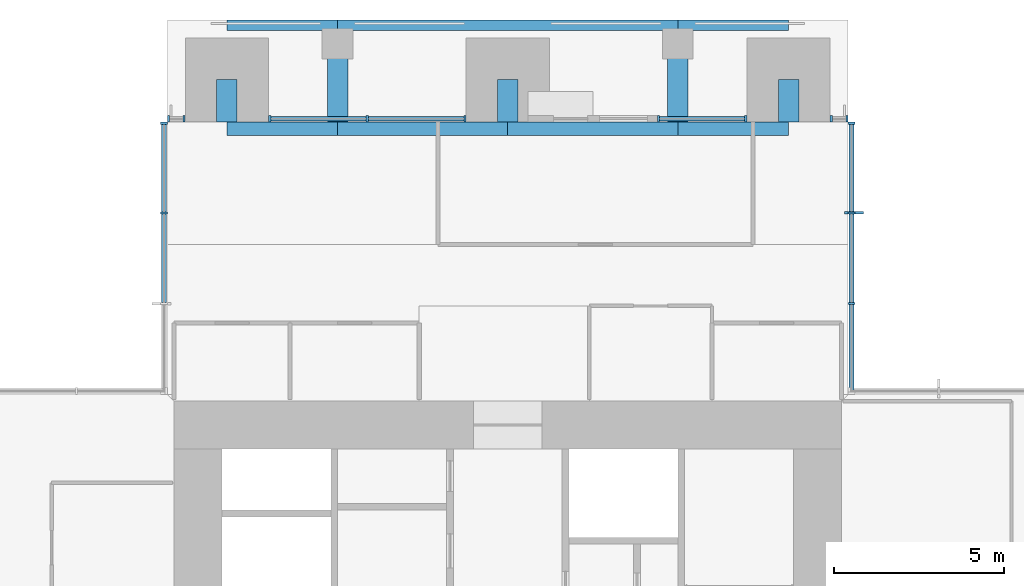
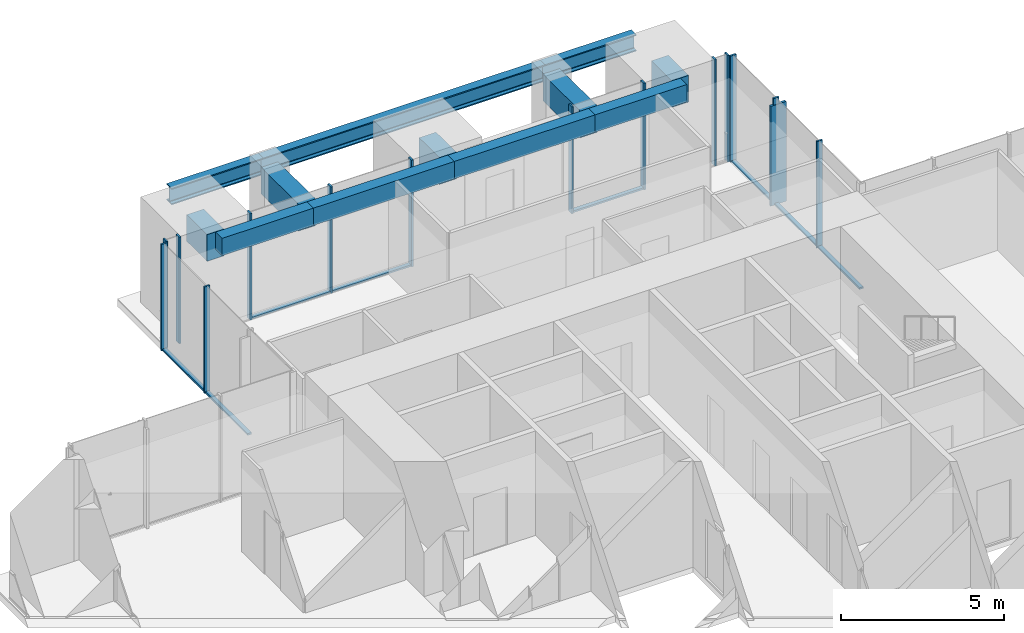
# One storey, part 5 of 17: 23 members, 12 beams, 6 elements without a shape of their own.
"""IFC4 building model written with IfcOpenShell, lengths in metres."""

from ifc_helpers import new_model, si_unit, direction, frame, origin, origin_2d, place, context, subcontext, project, spatial, rectangle, i_section, extrude, material, material_profile, profile_set, type_object, element, aggregate, save


model = new_model("IFC4")

# Units and contexts
model_context = context("Model", 3, precision=1e-05, world=origin(), true_north=direction((0.0, 1.0)))
body_context = subcontext(model_context, "Body", "Model", "MODEL_VIEW")
ifc_project = project(units=[si_unit("LENGTHUNIT", "METRE"), si_unit("AREAUNIT", "SQUARE_METRE"), si_unit("VOLUMEUNIT", "CUBIC_METRE"), si_unit("PLANEANGLEUNIT", "RADIAN"), si_unit("MASSUNIT", "GRAM", prefix="KILO")], contexts=[model_context])

# Site, building, storey
site_placement = place(None, origin())
site = spatial("IfcSite", under=ifc_project, at=site_placement, CompositionType="ELEMENT")
building_placement = place(site_placement, origin())
building = spatial("IfcBuilding", under=site, at=building_placement, Name="Svetlomir Tower", CompositionType="ELEMENT")
storey_placement = place(building_placement, frame((0.0, 0.0, 218.5)))
storey = spatial("IfcBuildingStorey", under=building, at=storey_placement, Name="L52", CompositionType="ELEMENT", Elevation=218.5)

# Curtain wall, members
ifc_material_1 = material(Name="Bronze anodised aluminium curtain wall", Category="aluminium")
curtain_wall_type = type_object("IfcCurtainWallType", Name="CURTAIN WALL CW1 TOWER OFFICE", PredefinedType="NOTDEFINED", material=ifc_material_1)
curtain_wall_1_placement = place(storey_placement, origin())
curtain_wall_1 = element("IfcCurtainWall", 1, at=curtain_wall_1_placement, inside=storey, type_object=curtain_wall_type, Name="Curtain wall CW1 L52", PredefinedType="NOTDEFINED")
ifc_material_2 = material(Name="Bronze anodised aluminium", Category="aluminium")
ifc_material_profile_1 = material_profile(ifc_material_2, rectangle(XDim=0.080078125, YDim=0.550048828125, at=origin_2d()), Name="FIN 80x550")
ifc_profile_set_1 = profile_set([ifc_material_profile_1], Name="Bronze anodised aluminium 6063-T6")
member_type_1 = type_object("IfcMemberType", Name="BRONZE FIN 80x550", PredefinedType="USERDEFINED", material=ifc_profile_set_1)
member_1_placement = place(storey_placement, frame((31.175048828125, 36.333251953125, 0.0), z_axis=(0.0, 0.0, 1.0), x_axis=(0.0, 1.0, 0.0)))
member_1 = element("IfcMember", 2, at=member_1_placement, type_object=member_type_1, Name="Bronze fin L52", ObjectType="FIN", PredefinedType="USERDEFINED", context=body_context, shape_type="SweptSolid", body=[
    extrude(rectangle(XDim=0.080078125, YDim=0.550048828125, at=origin_2d()), origin(), (0.0, 0.0, 1.0), 3.75),
])
ifc_material_3 = material(Name="Bronze anodised aluminium", Category="aluminium")
ifc_material_profile_2 = material_profile(ifc_material_3, rectangle(XDim=0.06494140625, YDim=0.199951171875, at=origin_2d()), Name="AL 65x200")
ifc_profile_set_2 = profile_set([ifc_material_profile_2], Name="Bronze anodised aluminium 6063-T6")
member_type_2 = type_object("IfcMemberType", Name="CW1 MULLION 65x200", PredefinedType="MULLION", material=ifc_profile_set_2)
member_2_placement = place(storey_placement, frame((31.10009765625, 33.666748046875, 0.0), z_axis=(0.0, 0.0, 1.0), x_axis=(0.0, 1.0, 0.0)))
member_2 = element("IfcMember", 3, at=member_2_placement, type_object=member_type_2, Name="CW1 mullion 2", PredefinedType="MULLION", context=body_context, shape_type="SweptSolid", body=[
    extrude(rectangle(XDim=0.06494140625, YDim=0.199951171875, at=origin_2d()), origin(), (0.0, 0.0, 1.0), 4.0),
])
member_3_placement = place(storey_placement, frame((31.10009765625, 36.333251953125, 0.0), z_axis=(0.0, 0.0, 1.0), x_axis=(0.0, 1.0, 0.0)))
member_3 = element("IfcMember", 4, at=member_3_placement, type_object=member_type_2, Name="CW1 mullion 3", PredefinedType="MULLION", context=body_context, shape_type="SweptSolid", body=[
    extrude(rectangle(XDim=0.06494140625, YDim=0.199951171875, at=origin_2d()), origin(), (0.0, 0.0, 1.0), 4.0),
])
member_4_placement = place(storey_placement, frame((31.10009765625, 38.967529296875, 0.0), z_axis=(0.0, 0.0, 1.0), x_axis=(0.0, 1.0, 0.0)))
member_4 = element("IfcMember", 5, at=member_4_placement, type_object=member_type_2, Name="CW1 mullion 4", PredefinedType="MULLION", context=body_context, shape_type="SweptSolid", body=[
    extrude(rectangle(XDim=0.06494140625, YDim=0.199951171875, at=origin_2d()), origin(), (0.0, 0.0, 1.0), 4.0),
])

curtain_wall_2_placement = place(storey_placement, origin())
curtain_wall_2 = element("IfcCurtainWall", 6, at=curtain_wall_2_placement, inside=storey, type_object=curtain_wall_type, Name="Curtain wall CW1 L52", PredefinedType="NOTDEFINED")
member_5_placement = place(storey_placement, frame((30.967529296875, 39.10009765625, 0.0), z_axis=(0.0, 0.0, 1.0), x_axis=(-1.0, 0.0, 0.0)))
member_5 = element("IfcMember", 7, at=member_5_placement, type_object=member_type_2, Name="CW1 mullion 1", PredefinedType="MULLION", context=body_context, shape_type="SweptSolid", body=[
    extrude(rectangle(XDim=0.06494140625, YDim=0.199951171875, at=origin_2d()), origin(), (0.0, 0.0, 1.0), 4.0),
])
member_6_placement = place(storey_placement, frame((30.507568359375, 39.10009765625, 0.0), z_axis=(0.0, 0.0, 1.0), x_axis=(-1.0, 0.0, 0.0)))
member_6 = element("IfcMember", 8, at=member_6_placement, type_object=member_type_2, Name="CW1 mullion 2", PredefinedType="MULLION", context=body_context, shape_type="SweptSolid", body=[
    extrude(rectangle(XDim=0.06494140625, YDim=0.199951171875, at=origin_2d()), origin(), (0.0, 0.0, 1.0), 4.0),
])
aggregate(curtain_wall_2, [member_5, member_6])

curtain_wall_3_placement = place(storey_placement, origin())
curtain_wall_3 = element("IfcCurtainWall", 9, at=curtain_wall_3_placement, inside=storey, type_object=curtain_wall_type, Name="Curtain wall CW1 L52", PredefinedType="NOTDEFINED")
member_7_placement = place(storey_placement, frame((27.992431640625, 39.10009765625, 0.0), z_axis=(0.0, 0.0, 1.0), x_axis=(-1.0, 0.0, 0.0)))
member_7 = element("IfcMember", 10, at=member_7_placement, type_object=member_type_2, Name="CW1 mullion 1", PredefinedType="MULLION", context=body_context, shape_type="SweptSolid", body=[
    extrude(rectangle(XDim=0.06494140625, YDim=0.199951171875, at=origin_2d()), origin(), (0.0, 0.0, 1.0), 4.0),
])
member_8_placement = place(storey_placement, frame((25.4326171875, 39.10009765625, 0.0), z_axis=(0.0, 0.0, 1.0), x_axis=(-1.0, 0.0, 0.0)))
member_8 = element("IfcMember", 11, at=member_8_placement, type_object=member_type_2, Name="CW1 mullion 2", PredefinedType="MULLION", context=body_context, shape_type="SweptSolid", body=[
    extrude(rectangle(XDim=0.06494140625, YDim=0.199951171875, at=origin_2d()), origin(), (0.0, 0.0, 1.0), 4.0),
])

curtain_wall_4_placement = place(storey_placement, origin())
curtain_wall_4 = element("IfcCurtainWall", 12, at=curtain_wall_4_placement, inside=storey, type_object=curtain_wall_type, Name="Curtain wall CW1 L52", PredefinedType="NOTDEFINED")
member_9_placement = place(storey_placement, frame((19.742431640625, 39.10009765625, 0.0), z_axis=(0.0, 0.0, 1.0), x_axis=(-1.0, 0.0, 0.0)))
member_9 = element("IfcMember", 13, at=member_9_placement, type_object=member_type_2, Name="CW1 mullion 1", PredefinedType="MULLION", context=body_context, shape_type="SweptSolid", body=[
    extrude(rectangle(XDim=0.06494140625, YDim=0.199951171875, at=origin_2d()), origin(), (0.0, 0.0, 1.0), 4.0),
])
member_10_placement = place(storey_placement, frame((16.875, 39.10009765625, 0.0), z_axis=(0.0, 0.0, 1.0), x_axis=(-1.0, 0.0, 0.0)))
member_10 = element("IfcMember", 14, at=member_10_placement, type_object=member_type_2, Name="CW1 mullion 2", PredefinedType="MULLION", context=body_context, shape_type="SweptSolid", body=[
    extrude(rectangle(XDim=0.06494140625, YDim=0.199951171875, at=origin_2d()), origin(), (0.0, 0.0, 1.0), 4.0),
])
member_11_placement = place(storey_placement, frame((14.007568359375, 39.10009765625, 0.0), z_axis=(0.0, 0.0, 1.0), x_axis=(-1.0, 0.0, 0.0)))
member_11 = element("IfcMember", 15, at=member_11_placement, type_object=member_type_2, Name="CW1 mullion 3", PredefinedType="MULLION", context=body_context, shape_type="SweptSolid", body=[
    extrude(rectangle(XDim=0.06494140625, YDim=0.199951171875, at=origin_2d()), origin(), (0.0, 0.0, 1.0), 4.0),
])

curtain_wall_5_placement = place(storey_placement, origin())
curtain_wall_5 = element("IfcCurtainWall", 16, at=curtain_wall_5_placement, inside=storey, type_object=curtain_wall_type, Name="Curtain wall CW1 L52", PredefinedType="NOTDEFINED")
member_12_placement = place(storey_placement, frame((11.492431640625, 39.10009765625, 0.0), z_axis=(0.0, 0.0, 1.0), x_axis=(-1.0, 0.0, 0.0)))
member_12 = element("IfcMember", 17, at=member_12_placement, type_object=member_type_2, Name="CW1 mullion 1", PredefinedType="MULLION", context=body_context, shape_type="SweptSolid", body=[
    extrude(rectangle(XDim=0.06494140625, YDim=0.199951171875, at=origin_2d()), origin(), (0.0, 0.0, 1.0), 4.0),
])
member_13_placement = place(storey_placement, frame((11.032470703125, 39.10009765625, 0.0), z_axis=(0.0, 0.0, 1.0), x_axis=(-1.0, 0.0, 0.0)))
member_13 = element("IfcMember", 18, at=member_13_placement, type_object=member_type_2, Name="CW1 mullion 2", PredefinedType="MULLION", context=body_context, shape_type="SweptSolid", body=[
    extrude(rectangle(XDim=0.06494140625, YDim=0.199951171875, at=origin_2d()), origin(), (0.0, 0.0, 1.0), 4.0),
])
aggregate(curtain_wall_5, [member_12, member_13])

curtain_wall_6_placement = place(storey_placement, origin())
curtain_wall_6 = element("IfcCurtainWall", 19, at=curtain_wall_6_placement, inside=storey, type_object=curtain_wall_type, Name="Curtain wall CW1 L52", PredefinedType="NOTDEFINED")
member_14_placement = place(storey_placement, frame((10.89990234375, 38.967529296875, 0.0), z_axis=(0.0, 0.0, 1.0), x_axis=(0.0, -1.0, 0.0)))
member_14 = element("IfcMember", 20, at=member_14_placement, type_object=member_type_2, Name="CW1 mullion 1", PredefinedType="MULLION", context=body_context, shape_type="SweptSolid", body=[
    extrude(rectangle(XDim=0.06494140625, YDim=0.199951171875, at=origin_2d()), origin(), (0.0, 0.0, 1.0), 4.0),
])
member_15_placement = place(storey_placement, frame((10.89990234375, 36.333251953125, 0.0), z_axis=(0.0, 0.0, 1.0), x_axis=(0.0, -1.0, 0.0)))
member_15 = element("IfcMember", 21, at=member_15_placement, type_object=member_type_2, Name="CW1 mullion 2", PredefinedType="MULLION", context=body_context, shape_type="SweptSolid", body=[
    extrude(rectangle(XDim=0.06494140625, YDim=0.199951171875, at=origin_2d()), origin(), (0.0, 0.0, 1.0), 4.0),
])

# Member
ifc_material_4 = material(Name="Bronze anodised aluminium", Category="aluminium")
ifc_material_profile_3 = material_profile(ifc_material_4, rectangle(XDim=0.139892578125, YDim=0.06494140625, at=origin_2d()), Name="AL 140x65")
ifc_profile_set_3 = profile_set([ifc_material_profile_3], Name="Bronze anodised aluminium 6063-T6")
member_type_3 = type_object("IfcMemberType", Name="CW1 TRANSOM 65x140", PredefinedType="USERDEFINED", material=ifc_profile_set_3)
member_16_placement = place(storey_placement, frame((31.10009765625, 31.06494140625, 0.032470703125), z_axis=(0.0, 1.0, 0.0), x_axis=(-1.0, 0.0, 0.0)))
member_16 = element("IfcMember", 22, at=member_16_placement, type_object=member_type_3, Name="CW1 transom 1.1", ObjectType="TRANSOM", PredefinedType="USERDEFINED", context=body_context, shape_type="SweptSolid", body=[
    extrude(rectangle(XDim=0.139892578125, YDim=0.06494140625, at=origin_2d()), origin(), (0.0, 0.0, 1.0), 2.5693359375),
])

member_17_placement = place(storey_placement, frame((31.10009765625, 33.69921875, 0.032470703125), z_axis=(0.0, 1.0, 0.0), x_axis=(-1.0, 0.0, 0.0)))
member_17 = element("IfcMember", 23, at=member_17_placement, type_object=member_type_3, Name="CW1 transom 2.1", ObjectType="TRANSOM", PredefinedType="USERDEFINED", context=body_context, shape_type="SweptSolid", body=[
    extrude(rectangle(XDim=0.139892578125, YDim=0.06494140625, at=origin_2d()), origin(), (0.0, 0.0, 1.0), 2.6015625),
])

member_18_placement = place(storey_placement, frame((31.10009765625, 36.36572265625, 0.032470703125), z_axis=(0.0, 1.0, 0.0), x_axis=(-1.0, 0.0, 0.0)))
member_18 = element("IfcMember", 24, at=member_18_placement, type_object=member_type_3, Name="CW1 transom 3.1", ObjectType="TRANSOM", PredefinedType="USERDEFINED", context=body_context, shape_type="SweptSolid", body=[
    extrude(rectangle(XDim=0.139892578125, YDim=0.06494140625, at=origin_2d()), origin(), (0.0, 0.0, 1.0), 2.5693359375),
])

aggregate(curtain_wall_1, [member_2, member_3, member_4, member_16, member_17, member_18, member_1])

member_19_placement = place(storey_placement, frame((27.9599609375, 39.10009765625, 0.032470703125), z_axis=(-1.0, 0.0, 0.0), x_axis=(0.0, -1.0, 0.0)))
member_19 = element("IfcMember", 25, at=member_19_placement, type_object=member_type_3, Name="CW1 transom 1.1", ObjectType="TRANSOM", PredefinedType="USERDEFINED", context=body_context, shape_type="SweptSolid", body=[
    extrude(rectangle(XDim=0.139892578125, YDim=0.06494140625, at=origin_2d()), origin(), (0.0, 0.0, 1.0), 2.494873046875),
])

aggregate(curtain_wall_3, [member_7, member_8, member_19])

member_20_placement = place(storey_placement, frame((19.7099609375, 39.10009765625, 0.032470703125), z_axis=(-1.0, 0.0, 0.0), x_axis=(0.0, -1.0, 0.0)))
member_20 = element("IfcMember", 26, at=member_20_placement, type_object=member_type_3, Name="CW1 transom 1.1", ObjectType="TRANSOM", PredefinedType="USERDEFINED", context=body_context, shape_type="SweptSolid", body=[
    extrude(rectangle(XDim=0.139892578125, YDim=0.06494140625, at=origin_2d()), origin(), (0.0, 0.0, 1.0), 2.802490234375),
])

member_21_placement = place(storey_placement, frame((16.842529296875, 39.10009765625, 0.032470703125), z_axis=(-1.0, 0.0, 0.0), x_axis=(0.0, -1.0, 0.0)))
member_21 = element("IfcMember", 27, at=member_21_placement, type_object=member_type_3, Name="CW1 transom 2.1", ObjectType="TRANSOM", PredefinedType="USERDEFINED", context=body_context, shape_type="SweptSolid", body=[
    extrude(rectangle(XDim=0.139892578125, YDim=0.06494140625, at=origin_2d()), origin(), (0.0, 0.0, 1.0), 2.802490234375),
])

aggregate(curtain_wall_4, [member_9, member_10, member_11, member_20, member_21])

member_22_placement = place(storey_placement, frame((10.89990234375, 38.93505859375, 0.032470703125), z_axis=(0.0, -1.0, 0.0), x_axis=(1.0, 0.0, 0.0)))
member_22 = element("IfcMember", 28, at=member_22_placement, type_object=member_type_3, Name="CW1 transom 1.1", ObjectType="TRANSOM", PredefinedType="USERDEFINED", context=body_context, shape_type="SweptSolid", body=[
    extrude(rectangle(XDim=0.139892578125, YDim=0.06494140625, at=origin_2d()), origin(), (0.0, 0.0, 1.0), 2.5693359375),
])

member_23_placement = place(storey_placement, frame((10.89990234375, 36.30078125, 0.032470703125), z_axis=(0.0, -1.0, 0.0), x_axis=(1.0, 0.0, 0.0)))
member_23 = element("IfcMember", 29, at=member_23_placement, type_object=member_type_3, Name="CW1 transom 2.1", ObjectType="TRANSOM", PredefinedType="USERDEFINED", context=body_context, shape_type="SweptSolid", body=[
    extrude(rectangle(XDim=0.139892578125, YDim=0.06494140625, at=origin_2d()), origin(), (0.0, 0.0, 1.0), 2.6015625),
])

aggregate(curtain_wall_6, [member_14, member_15, member_22, member_23])

# Beams
ifc_material_5 = material(Name="Steel S355", Category="steel")
ifc_material_profile_4 = material_profile(ifc_material_5, i_section(OverallWidth=0.304931640625, OverallDepth=0.6201171875, WebThickness=0.02099609375, FlangeThickness=0.0400390625, FilletRadius=0.027099609375, at=origin_2d()), Name="HEM 600")
ifc_profile_set_4 = profile_set([ifc_material_profile_4], Name="Steel S355")
beam_type_1 = type_object("IfcBeamType", Name="EDGE BEAM HEM 600", PredefinedType="SPANDREL", material=ifc_profile_set_4)
beam_1_placement = place(storey_placement, frame((12.75, 41.847412109375, 3.43994140625), z_axis=(1.0, 0.0, 0.0), x_axis=(0.0, 1.0, 0.0)))
element("IfcBeam", 30, at=beam_1_placement, inside=storey, type_object=beam_type_1, Name="Edge beam 11/42 to 16/42 under L53", PredefinedType="SPANDREL", context=body_context, shape_type="SweptSolid", body=[
    extrude(i_section(OverallWidth=0.304931640625, OverallDepth=0.6201171875, WebThickness=0.02099609375, FlangeThickness=0.0400390625, FilletRadius=0.027099609375, at=origin_2d()), origin(), (0.0, 0.0, 1.0), 3.25),
])
beam_2_placement = place(storey_placement, frame((16.0, 41.847412109375, 3.43994140625), z_axis=(1.0, 0.0, 0.0), x_axis=(0.0, 1.0, 0.0)))
element("IfcBeam", 31, at=beam_2_placement, inside=storey, type_object=beam_type_1, Name="Edge beam 16/42 to 26/42 under L53", PredefinedType="SPANDREL", context=body_context, shape_type="SweptSolid", body=[
    extrude(i_section(OverallWidth=0.304931640625, OverallDepth=0.6201171875, WebThickness=0.02099609375, FlangeThickness=0.0400390625, FilletRadius=0.027099609375, at=origin_2d()), origin(), (0.0, 0.0, 1.0), 10.0),
])
beam_3_placement = place(storey_placement, frame((26.0, 41.847412109375, 3.43994140625), z_axis=(1.0, 0.0, 0.0), x_axis=(0.0, 1.0, 0.0)))
element("IfcBeam", 32, at=beam_3_placement, inside=storey, type_object=beam_type_1, Name="Edge beam 26/42 to 31/42 under L53", PredefinedType="SPANDREL", context=body_context, shape_type="SweptSolid", body=[
    extrude(i_section(OverallWidth=0.304931640625, OverallDepth=0.6201171875, WebThickness=0.02099609375, FlangeThickness=0.0400390625, FilletRadius=0.027099609375, at=origin_2d()), origin(), (0.0, 0.0, 1.0), 3.25),
])
ifc_material_6 = material(Name="Concrete C60/75", Category="concrete")
ifc_material_profile_5 = material_profile(ifc_material_6, rectangle(XDim=0.39990234375, YDim=0.64990234375, at=origin_2d()), Name="RC 400x650")
ifc_profile_set_5 = profile_set([ifc_material_profile_5], Name="Concrete C60/75")
beam_type_2 = type_object("IfcBeamType", Name="FACADE EDGE BEAM RC 400x650", PredefinedType="BEAM", material=ifc_profile_set_5)
beam_4_placement = place(storey_placement, frame((12.75, 38.800048828125, 3.425048828125), z_axis=(1.0, 0.0, 0.0), x_axis=(0.0, 1.0, 0.0)))
element("IfcBeam", 33, at=beam_4_placement, inside=storey, type_object=beam_type_2, Name="Facade edge beam N 11 to 16 under L53", PredefinedType="BEAM", context=body_context, shape_type="SweptSolid", body=[
    extrude(rectangle(XDim=0.39990234375, YDim=0.64990234375, at=origin_2d()), origin(), (0.0, 0.0, 1.0), 3.25),
])
for number, where, z_axis, x_axis, name in (
    (34, (16.0, 38.800048828125, 3.425048828125), (1.0, 0.0, 0.0), (0.0, 1.0, 0.0), "Facade edge beam N 16 to 21 under L53"),
    (35, (21.0, 38.800048828125, 3.425048828125), (1.0, 0.0, 0.0), (0.0, 1.0, 0.0), "Facade edge beam N 21 to 26 under L53"),
):
    element("IfcBeam", number, at=place(storey_placement, frame(where, z_axis=z_axis, x_axis=x_axis)), inside=storey, type_object=beam_type_2, Name=name, PredefinedType="BEAM", context=body_context, shape_type="SweptSolid", body=[
        extrude(rectangle(XDim=0.39990234375, YDim=0.64990234375, at=origin_2d()), origin(), (0.0, 0.0, 1.0), 5.0),
    ])
beam_5_placement = place(storey_placement, frame((26.0, 38.800048828125, 3.425048828125), z_axis=(1.0, 0.0, 0.0), x_axis=(0.0, 1.0, 0.0)))
element("IfcBeam", 36, at=beam_5_placement, inside=storey, type_object=beam_type_2, Name="Facade edge beam N 26 to 31 under L53", PredefinedType="BEAM", context=body_context, shape_type="SweptSolid", body=[
    extrude(rectangle(XDim=0.39990234375, YDim=0.64990234375, at=origin_2d()), origin(), (0.0, 0.0, 1.0), 3.25),
])
ifc_material_7 = material(Name="Concrete C60/75", Category="concrete")
ifc_material_profile_6 = material_profile(ifc_material_7, rectangle(XDim=0.60009765625, YDim=1.0, at=origin_2d()), Name="RC 600x1000")
ifc_profile_set_6 = profile_set([ifc_material_profile_6], Name="Concrete C60/75")
beam_type_3 = type_object("IfcBeamType", Name="LOGGIA LINK BEAM RC 600x1000", PredefinedType="BEAM", material=ifc_profile_set_6)
beam_6_placement = place(storey_placement, frame((12.75, 40.25, 3.25), z_axis=(0.0, -1.0, 0.0), x_axis=(1.0, 0.0, 0.0)))
element("IfcBeam", 37, at=beam_6_placement, inside=storey, type_object=beam_type_3, Name="Loggia link beam N 11 under L53", PredefinedType="BEAM", context=body_context, shape_type="SweptSolid", body=[
    extrude(rectangle(XDim=0.60009765625, YDim=1.0, at=origin_2d()), origin(), (0.0, 0.0, 1.0), 1.25),
])
beam_7_placement = place(storey_placement, frame((16.0, 41.300048828125, 3.25), z_axis=(0.0, -1.0, 0.0), x_axis=(1.0, 0.0, 0.0)))
element("IfcBeam", 38, at=beam_7_placement, inside=storey, type_object=beam_type_3, Name="Loggia link beam N 16 under L53", PredefinedType="BEAM", context=body_context, shape_type="SweptSolid", body=[
    extrude(rectangle(XDim=0.60009765625, YDim=1.0, at=origin_2d()), origin(), (0.0, 0.0, 1.0), 2.300048828125),
])
beam_8_placement = place(storey_placement, frame((21.0, 40.25, 3.25), z_axis=(0.0, -1.0, 0.0), x_axis=(1.0, 0.0, 0.0)))
element("IfcBeam", 39, at=beam_8_placement, inside=storey, type_object=beam_type_3, Name="Loggia link beam N 21 under L53", PredefinedType="BEAM", context=body_context, shape_type="SweptSolid", body=[
    extrude(rectangle(XDim=0.60009765625, YDim=1.0, at=origin_2d()), origin(), (0.0, 0.0, 1.0), 1.25),
])
beam_9_placement = place(storey_placement, frame((26.0, 41.300048828125, 3.25), z_axis=(0.0, -1.0, 0.0), x_axis=(1.0, 0.0, 0.0)))
element("IfcBeam", 40, at=beam_9_placement, inside=storey, type_object=beam_type_3, Name="Loggia link beam N 26 under L53", PredefinedType="BEAM", context=body_context, shape_type="SweptSolid", body=[
    extrude(rectangle(XDim=0.60009765625, YDim=1.0, at=origin_2d()), origin(), (0.0, 0.0, 1.0), 2.300048828125),
])
beam_10_placement = place(storey_placement, frame((29.25, 40.25, 3.25), z_axis=(0.0, -1.0, 0.0), x_axis=(1.0, 0.0, 0.0)))
element("IfcBeam", 41, at=beam_10_placement, inside=storey, type_object=beam_type_3, Name="Loggia link beam N 31 under L53", PredefinedType="BEAM", context=body_context, shape_type="SweptSolid", body=[
    extrude(rectangle(XDim=0.60009765625, YDim=1.0, at=origin_2d()), origin(), (0.0, 0.0, 1.0), 1.25),
])

save(model, "model.ifc")
